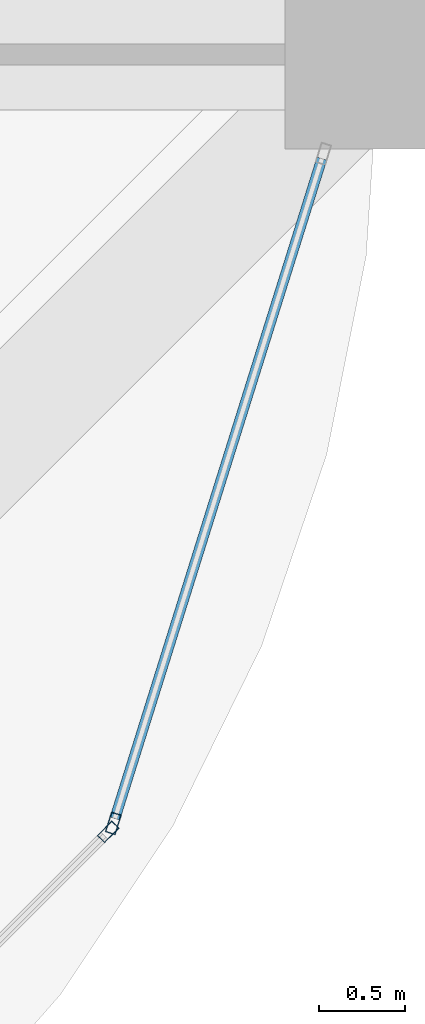
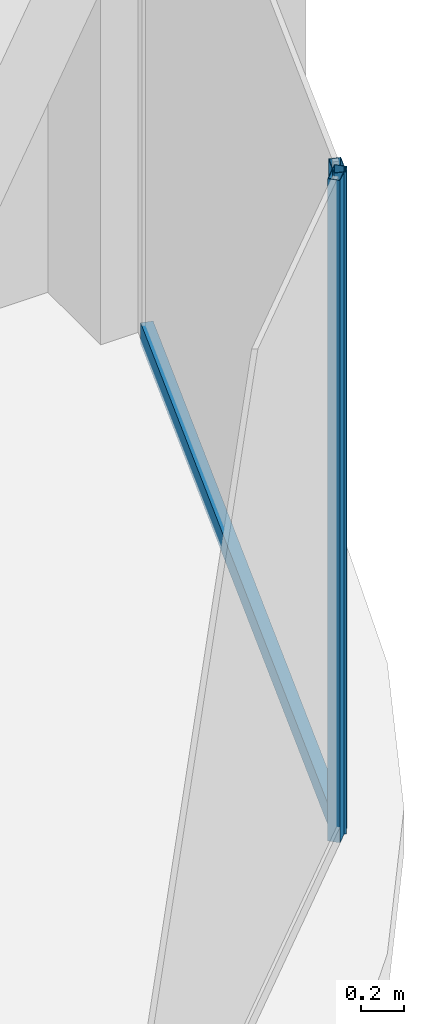
# One storey, part 20 of 44: 3 members, 2 elements without a shape of their own.
"""IFC4 building model written with IfcOpenShell, lengths in metres."""

from ifc_helpers import new_model, si_unit, direction, frame, origin, origin_2d, place, context, subcontext, project, spatial, hollow_rectangle, extrude, material, material_profile, profile_set, type_object, element, aggregate, save


model = new_model("IFC4")

# Units and contexts
model_context = context("Model", 3, precision=1e-05, world=origin(), true_north=direction((0.0, 1.0)))
body_context = subcontext(model_context, "Body", "Model", "MODEL_VIEW")
ifc_project = project(units=[si_unit("LENGTHUNIT", "METRE"), si_unit("AREAUNIT", "SQUARE_METRE"), si_unit("VOLUMEUNIT", "CUBIC_METRE"), si_unit("PLANEANGLEUNIT", "RADIAN"), si_unit("MASSUNIT", "GRAM", prefix="KILO")], contexts=[model_context])

# Site, building, storey
site_placement = place(None, origin())
site = spatial("IfcSite", under=ifc_project, at=site_placement, CompositionType="ELEMENT")
building_placement = place(site_placement, origin())
building = spatial("IfcBuilding", under=site, at=building_placement, Name="Zorevar Civic Tower", CompositionType="ELEMENT")
storey_placement = place(building_placement, frame((0.0, 0.0, 251.39990234375)))
storey = spatial("IfcBuildingStorey", under=building, at=storey_placement, Name="L61", CompositionType="ELEMENT", Elevation=251.39990234375)

# Curtain wall, member
ifc_material_1 = material(Name="Dark grey solar-control glass in black aluminium frame", Category="aluminium")
curtain_wall_type = type_object("IfcCurtainWallType", Name="Curtain wall CW5 top zone", PredefinedType="NOTDEFINED", material=ifc_material_1)
curtain_wall_1_placement = place(storey_placement, origin())
curtain_wall_1 = element("IfcCurtainWall", 1, at=curtain_wall_1_placement, inside=storey, type_object=curtain_wall_type, Name="CW5 L61", PredefinedType="NOTDEFINED")
ifc_material_2 = material(Name="Aluminium, black anodised", Category="aluminium")
ifc_material_profile_1 = material_profile(ifc_material_2, hollow_rectangle(XDim=0.06005859375, YDim=0.1201171875, WallThickness=0.0029296875, at=origin_2d()), Name="AL 120x60x3")
ifc_profile_set_1 = profile_set([ifc_material_profile_1], Name="Aluminium, black anodised")
member_type_1 = type_object("IfcMemberType", Name="CW5 mullion AL 120x60x3", PredefinedType="MULLION", material=ifc_profile_set_1)
member_1_placement = place(storey_placement, frame((52.419677734375, 4.470947265625, 0.0), z_axis=(0.0, 0.0, 1.0), x_axis=(-0.707106781187, 0.707106781187, 0.0)))
member_1 = element("IfcMember", 2, at=member_1_placement, type_object=member_type_1, Name="CW5 mullion 2", PredefinedType="MULLION", context=body_context, shape_type="SweptSolid", body=[
    extrude(hollow_rectangle(XDim=0.06005859375, YDim=0.1201171875, WallThickness=0.0029296875, at=origin_2d()), origin(), (0.0, 0.0, 1.0), 3.75),
])
aggregate(curtain_wall_1, [member_1])

# Curtain wall, members
curtain_wall_2_placement = place(storey_placement, origin())
curtain_wall_2 = element("IfcCurtainWall", 3, at=curtain_wall_2_placement, inside=storey, type_object=curtain_wall_type, Name="CW5 L61", PredefinedType="NOTDEFINED")
member_2_placement = place(storey_placement, frame((52.449951171875, 4.520751953125, 0.0), z_axis=(0.0, 0.0, 1.0), x_axis=(-0.954153437674, 0.299317920238, 0.0)))
member_2 = element("IfcMember", 4, at=member_2_placement, type_object=member_type_1, Name="CW5 mullion 1", PredefinedType="MULLION", context=body_context, shape_type="SweptSolid", body=[
    extrude(hollow_rectangle(XDim=0.06005859375, YDim=0.1201171875, WallThickness=0.0029296875, at=origin_2d()), origin(), (0.0, 0.0, 1.0), 3.75),
])
ifc_material_3 = material(Name="Aluminium, black anodised", Category="aluminium")
ifc_material_profile_2 = material_profile(ifc_material_3, hollow_rectangle(XDim=0.06005859375, YDim=0.1201171875, WallThickness=0.0029296875, at=origin_2d()), Name="AL 120x60x3")
ifc_profile_set_2 = profile_set([ifc_material_profile_2], Name="Aluminium, black anodised")
member_type_2 = type_object("IfcMemberType", Name="CW5 transom AL 120x60x3", PredefinedType="USERDEFINED", material=ifc_profile_set_2)
member_3_placement = place(storey_placement, frame((52.458984375, 4.54931640625, 0.030029296875), z_axis=(0.299285978047, 0.954163457351, 0.0), x_axis=(-0.954163457351, 0.299285978047, 0.0)))
member_3 = element("IfcMember", 5, at=member_3_placement, type_object=member_type_2, Name="CW5 sill transom", ObjectType="TRANSOM", PredefinedType="USERDEFINED", context=body_context, shape_type="SweptSolid", body=[
    extrude(hollow_rectangle(XDim=0.06005859375, YDim=0.1201171875, WallThickness=0.0029296875, at=origin_2d()), origin(), (0.0, 0.0, 1.0), 4.028076171875),
])
aggregate(curtain_wall_2, [member_2, member_3])

save(model, "model.ifc")
